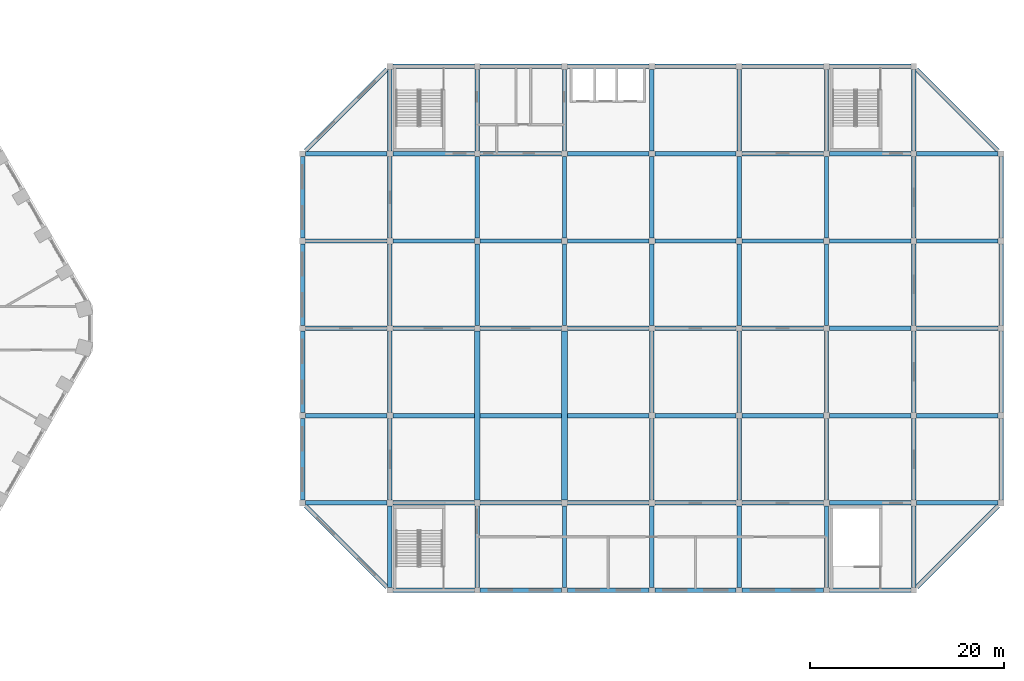
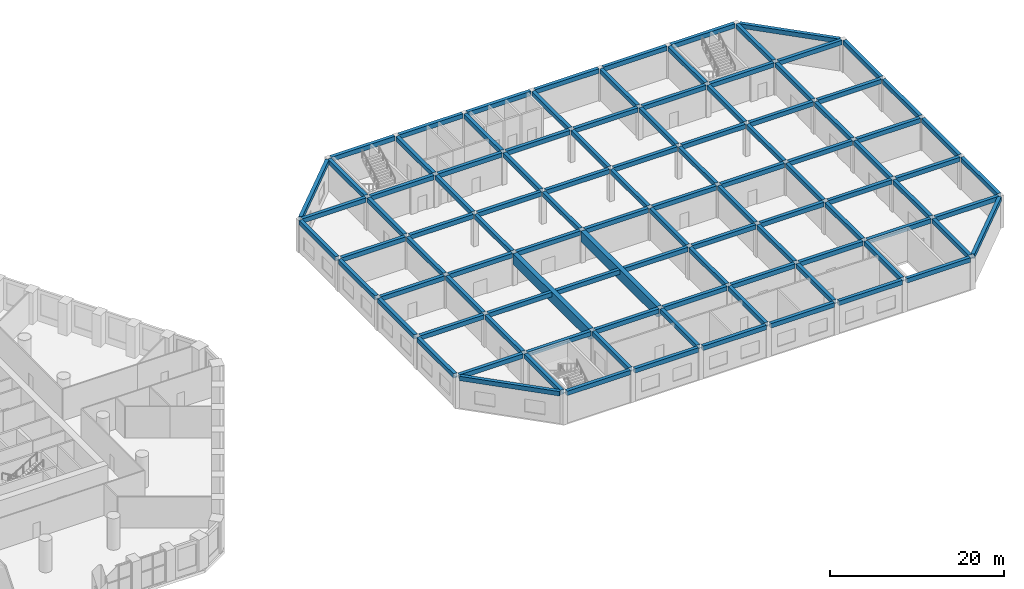
# One storey, part 4 of 26: 104 beams.
"""IFC4 building model written with IfcOpenShell, lengths in metres."""

import ifcopenshell
import ifcopenshell.guid

model = None  # the IFC model being written
_history = None  # IfcOwnerHistory: only IFC2X3 demands one
_inside = {}  # id of a spatial element -> (the spatial element, [elements in it])
_under = {}  # id of a project, library or spatial element -> (it, [spatial elements below it])
_declared = {}  # id of a project -> (the project, [libraries it declares])
_typed = {}  # id of a type object -> (the type object, [elements of that type])
_made_of = {}  # id of a material, layer set ... -> (it, [elements and type objects made of it])


def new_model(schema):
    """Start an empty IFC model of exactly this schema.

    Asked for "IFC4X3", IfcOpenShell would pick the latest addendum, in which some entities
    have other attributes; the version numbers below select the first issue.
    IFC2X3 requires an IfcOwnerHistory on every rooted entity: one is made here for all.
    """
    global model, _history
    if schema == "IFC4X3":
        model = ifcopenshell.file(schema_version=(4, 3, 0, 0))
    else:
        model = ifcopenshell.file(schema=schema)
    _inside.clear()
    _under.clear()
    _declared.clear()
    _typed.clear()
    _made_of.clear()
    _history = None
    if model.schema == "IFC2X3":
        org = make("IfcOrganization", Name="unknown")
        user = make(
            "IfcPersonAndOrganization",
            ThePerson=make("IfcPerson", FamilyName="unknown"),
            TheOrganization=org,
        )
        app = make(
            "IfcApplication",
            ApplicationDeveloper=org,
            Version="unknown",
            ApplicationFullName="unknown",
            ApplicationIdentifier="unknown",
        )
        _history = make(
            "IfcOwnerHistory",
            OwningUser=user,
            OwningApplication=app,
            ChangeAction="ADDED",
            CreationDate=0,
        )
    return model


def make(cls, **values):
    """One entity of the class cls with the attributes given. An attribute that is None is left unset."""
    return model.create_entity(
        cls, **{name: value for name, value in values.items() if value is not None}
    )


def rooted(cls, **values):
    """An entity with a GlobalId (a new one), such as an element, a storey or a relation."""
    return make(cls, GlobalId=ifcopenshell.guid.new(), OwnerHistory=_history, **values)


def si_unit(unit_type, name, prefix=None):
    """IfcSIUnit, for example si_unit("LENGTHUNIT", "METRE", prefix="MILLI")."""
    return make("IfcSIUnit", UnitType=unit_type, Prefix=prefix, Name=name)


def assignment(units):
    """IfcUnitAssignment: the units of a project."""
    return None if units is None else make("IfcUnitAssignment", Units=units)


def point(xyz):
    """IfcCartesianPoint."""
    return None if xyz is None else make("IfcCartesianPoint", Coordinates=xyz)


def direction(xyz):
    """IfcDirection."""
    return None if xyz is None else make("IfcDirection", DirectionRatios=xyz)


def frame(location, z_axis=None, x_axis=None):
    """IfcAxis2Placement3D, a coordinate frame: its origin and axes. An axis left out is left unset."""
    return make(
        "IfcAxis2Placement3D",
        Location=point(location),
        Axis=direction(z_axis),
        RefDirection=direction(x_axis),
    )


def frame_2d(location, x_axis=None):
    """IfcAxis2Placement2D, a coordinate frame in the plane: its origin and x axis."""
    return make(
        "IfcAxis2Placement2D", Location=point(location), RefDirection=direction(x_axis)
    )


def origin():
    """The frame at (0, 0, 0) with its axes left unset."""
    return frame((0.0, 0.0, 0.0))


def origin_2d():
    """The frame at (0, 0) in the plane with its x axis left unset."""
    return frame_2d((0.0, 0.0))


def place(relative_to, where):
    """IfcLocalPlacement: puts the frame where relative to a parent placement (None: the world)."""
    return make(
        "IfcLocalPlacement", PlacementRelTo=relative_to, RelativePlacement=where
    )


def context(
    kind, dimensions, precision=None, world=None, true_north=None, identifier=None
):
    """IfcGeometricRepresentationContext, for example the 3D "Model" context."""
    return make(
        "IfcGeometricRepresentationContext",
        ContextIdentifier=identifier,
        ContextType=kind,
        CoordinateSpaceDimension=dimensions,
        Precision=precision,
        WorldCoordinateSystem=world,
        TrueNorth=true_north,
    )


def subcontext(parent, identifier, kind, view, scale=None):
    """IfcGeometricRepresentationSubContext, for example "Body" below "Model"."""
    return make(
        "IfcGeometricRepresentationSubContext",
        ContextIdentifier=identifier,
        ContextType=kind,
        ParentContext=parent,
        TargetScale=scale,
        TargetView=view,
    )


def project(units=None, contexts=None):
    """IfcProject with its units and contexts."""
    return rooted(
        "IfcProject",
        Name="project",
        RepresentationContexts=contexts,
        UnitsInContext=assignment(units),
    )


def spatial(cls, under=None, at=None, **own):
    """A site, building, storey or space (cls), placed at a placement, below another one or the project."""
    s = rooted(cls, ObjectPlacement=at, **own)
    if under is not None:
        _under.setdefault(under.id(), (under, []))[1].append(s)
    return s


def profile(cls, at=None, kind="AREA", **sizes):
    """A parametric profile (cls). Its sizes go by their IFC names, for example OverallWidth=200.0."""
    return make(cls, ProfileType=kind, Position=at, **sizes)


def rectangle(**sizes):
    """IfcRectangleProfileDef."""
    return profile("IfcRectangleProfileDef", **sizes)


def extrude(swept, where, along, depth):
    """IfcExtrudedAreaSolid: the profile swept, set in the frame where, extruded along a direction by depth."""
    return make(
        "IfcExtrudedAreaSolid",
        SweptArea=swept,
        Position=where,
        ExtrudedDirection=direction(along),
        Depth=depth,
    )


def shape(context_of_items, identifier, shape_type, items):
    """IfcShapeRepresentation: the items that make up one representation, for example the "Body"."""
    return make(
        "IfcShapeRepresentation",
        ContextOfItems=context_of_items,
        RepresentationIdentifier=identifier,
        RepresentationType=shape_type,
        Items=items,
    )


def material(Name=None, Category=None):
    """IfcMaterial."""
    return make("IfcMaterial", Name=Name, Category=Category)


def material_profile(
    of_material, cross_section, Name=None, Category=None, Priority=None
):
    """IfcMaterialProfile: a cross section and its material."""
    return make(
        "IfcMaterialProfile",
        Name=Name,
        Material=of_material,
        Profile=cross_section,
        Priority=Priority,
        Category=Category,
    )


def profile_set(profiles, Name=None, composite=None):
    """IfcMaterialProfileSet."""
    return make(
        "IfcMaterialProfileSet",
        Name=Name,
        MaterialProfiles=profiles,
        CompositeProfile=composite,
    )


def made_of(thing, what):
    """Note that an element or type object is made of a material, layer set ...; save() writes the relation."""
    if what is not None:
        _made_of.setdefault(what.id(), (what, []))[1].append(thing)
    return thing


def type_object(cls, material=None, **own):
    """A type object (cls), such as IfcWallType, which elements share."""
    return made_of(rooted(cls, **own), material)


def element(
    cls,
    number,
    at=None,
    inside=None,
    cuts=None,
    type_object=None,
    material=None,
    context=None,
    identifier="Body",
    shape_type=None,
    held_by="IfcProductDefinitionShape",
    body=None,
    shapes=None,
    **own,
):
    """One element of the class cls, such as IfcWall. Its Tag is "e" and its number.

    at: its placement. inside: the storey or other place that contains it. cuts: it is an
    opening in that element (IfcRelVoidsElement). A single representation is given by context,
    identifier, shape_type and body (its items); several are given by shapes. held_by: the class
    of the entity that holds the representations. save() writes the other relations.
    """
    e = rooted(cls, Tag="e%d" % number, ObjectPlacement=at, **own)
    if body is not None:
        shapes = [shape(context, identifier, shape_type, body)]
    if shapes is not None:
        e.Representation = make(held_by, Representations=shapes)
    if inside is not None:
        _inside.setdefault(inside.id(), (inside, []))[1].append(e)
    if cuts is not None:
        rooted(
            "IfcRelVoidsElement", RelatingBuildingElement=cuts, RelatedOpeningElement=e
        )
    if type_object is not None:
        _typed.setdefault(type_object.id(), (type_object, []))[1].append(e)
    return made_of(e, material)


def aggregate(whole, parts):
    """IfcRelAggregates: a whole, such as a stair, and the parts it consists of."""
    return rooted("IfcRelAggregates", RelatingObject=whole, RelatedObjects=parts)


def save(model, path):
    """Write the relations noted so far, then the file.

    IfcRelAggregates (storeys below a building ...), IfcRelContainedInSpatialStructure (elements
    in a storey), IfcRelDefinesByType, IfcRelAssociatesMaterial and IfcRelDeclares: one each for
    every whole, place, type object, material and project.
    """
    for whole, parts in _under.values():
        aggregate(whole, parts)
    for where, things in _inside.values():
        rooted(
            "IfcRelContainedInSpatialStructure",
            RelatedElements=things,
            RelatingStructure=where,
        )
    for kind, things in _typed.values():
        rooted("IfcRelDefinesByType", RelatedObjects=things, RelatingType=kind)
    for what, things in _made_of.values():
        rooted("IfcRelAssociatesMaterial", RelatedObjects=things, RelatingMaterial=what)
    for by, libraries in _declared.values():
        rooted("IfcRelDeclares", RelatingContext=by, RelatedDefinitions=libraries)
    model.write(path)


model = new_model("IFC4")

# Units and contexts
model_context = context("Model", 3, precision=1e-05, world=origin(), true_north=direction((0.0, 1.0)))
body_context = subcontext(model_context, "Body", "Model", "MODEL_VIEW")
ifc_project = project(units=[si_unit("LENGTHUNIT", "METRE"), si_unit("AREAUNIT", "SQUARE_METRE"), si_unit("VOLUMEUNIT", "CUBIC_METRE"), si_unit("PLANEANGLEUNIT", "RADIAN"), si_unit("MASSUNIT", "GRAM", prefix="KILO")], contexts=[model_context])

# Site, building, storey
site_placement = place(None, origin())
site = spatial("IfcSite", under=ifc_project, at=site_placement, CompositionType="ELEMENT")
building_placement = place(site_placement, origin())
building = spatial("IfcBuilding", under=site, at=building_placement, Name="Dhurran Vertical Campus", CompositionType="ELEMENT")
storey_placement = place(building_placement, frame((0.0, 0.0, 15.60009765625)))
storey = spatial("IfcBuildingStorey", under=building, at=storey_placement, Name="L03", CompositionType="ELEMENT", Elevation=15.60009765625)

# Beams
ifc_material_1 = material(Name="Concrete C40/50", Category="concrete")
ifc_material_profile_1 = material_profile(ifc_material_1, rectangle(XDim=0.449951171875, YDim=0.6201171875, at=origin_2d()), Name="hl-girder 450x620")
ifc_profile_set_1 = profile_set([ifc_material_profile_1], Name="Concrete C40/50")
beam_type_1 = type_object("IfcBeamType", Name="hl-girder 450x620", PredefinedType="BEAM", material=ifc_profile_set_1)
beam_1_placement = place(storey_placement, frame((61.5, -17.699951171875, 4.2099609375), z_axis=(0.0, 1.0, 0.0), x_axis=(-1.0, 0.0, 0.0)))
element("IfcBeam", 1, at=beam_1_placement, inside=storey, type_object=beam_type_1, Name="Hall girder L03-001", PredefinedType="BEAM", context=body_context, shape_type="SweptSolid", body=[
    extrude(rectangle(XDim=0.449951171875, YDim=0.6201171875, at=origin_2d()), origin(), (0.0, 0.0, 1.0), 8.39990234375),
])
beam_2_placement = place(storey_placement, frame((61.800048828125, -18.300048828125, 4.2099609375), z_axis=(0.707106781187, -0.707106781187, 0.0), x_axis=(0.707106781187, 0.707106781187, 0.0)))
element("IfcBeam", 2, at=beam_2_placement, inside=storey, type_object=beam_type_1, Name="Hall girder L03-002", PredefinedType="BEAM", context=body_context, shape_type="SweptSolid", body=[
    extrude(rectangle(XDim=0.449951171875, YDim=0.6201171875, at=origin_2d()), origin(), (0.0, 0.0, 1.0), 11.879150390625),
])
for number, where, z_axis, x_axis, name in (
    (3, (61.800048828125, -18.0, 4.2099609375), (1.0, 0.0, 0.0), (0.0, 1.0, 0.0), "Hall girder L03-003"),
    (4, (61.5, -8.699951171875, 4.2099609375), (0.0, 1.0, 0.0), (-1.0, 0.0, 0.0), "Hall girder L03-004"),
    (5, (61.800048828125, -9.0, 4.2099609375), (1.0, 0.0, 0.0), (0.0, 1.0, 0.0), "Hall girder L03-005"),
    (6, (61.5, 0.300048828125, 4.2099609375), (0.0, 1.0, 0.0), (-1.0, 0.0, 0.0), "Hall girder L03-006"),
    (7, (61.800048828125, 0.0, 4.2099609375), (1.0, 0.0, 0.0), (0.0, 1.0, 0.0), "Hall girder L03-007"),
    (8, (61.5, 9.300048828125, 4.2099609375), (0.0, 1.0, 0.0), (-1.0, 0.0, 0.0), "Hall girder L03-008"),
    (9, (61.800048828125, 9.0, 4.2099609375), (1.0, 0.0, 0.0), (0.0, 1.0, 0.0), "Hall girder L03-009"),
    (10, (61.800048828125, 18.0, 4.2099609375), (1.0, 0.0, 0.0), (0.0, 1.0, 0.0), "Hall girder L03-010"),
    (11, (70.5, -26.699951171875, 4.2099609375), (0.0, 1.0, 0.0), (-1.0, 0.0, 0.0), "Hall girder L03-011"),
    (12, (70.800048828125, -27.0, 4.2099609375), (1.0, 0.0, 0.0), (0.0, 1.0, 0.0), "Hall girder L03-012"),
    (13, (70.5, -17.699951171875, 4.2099609375), (0.0, 1.0, 0.0), (-1.0, 0.0, 0.0), "Hall girder L03-013"),
    (14, (70.800048828125, -18.0, 4.2099609375), (1.0, 0.0, 0.0), (0.0, 1.0, 0.0), "Hall girder L03-014"),
    (15, (70.5, -8.699951171875, 4.2099609375), (0.0, 1.0, 0.0), (-1.0, 0.0, 0.0), "Hall girder L03-015"),
    (16, (70.800048828125, -9.0, 4.2099609375), (1.0, 0.0, 0.0), (0.0, 1.0, 0.0), "Hall girder L03-016"),
    (17, (70.5, 0.300048828125, 4.2099609375), (0.0, 1.0, 0.0), (-1.0, 0.0, 0.0), "Hall girder L03-017"),
    (18, (70.800048828125, 0.0, 4.2099609375), (1.0, 0.0, 0.0), (0.0, 1.0, 0.0), "Hall girder L03-018"),
    (19, (70.5, 9.300048828125, 4.2099609375), (0.0, 1.0, 0.0), (-1.0, 0.0, 0.0), "Hall girder L03-019"),
    (20, (70.800048828125, 9.0, 4.2099609375), (1.0, 0.0, 0.0), (0.0, 1.0, 0.0), "Hall girder L03-020"),
    (21, (70.5, 18.300048828125, 4.2099609375), (0.0, 1.0, 0.0), (-1.0, 0.0, 0.0), "Hall girder L03-021"),
    (22, (70.800048828125, 18.0, 4.2099609375), (1.0, 0.0, 0.0), (0.0, 1.0, 0.0), "Hall girder L03-022"),
):
    element("IfcBeam", number, at=place(storey_placement, frame(where, z_axis=z_axis, x_axis=x_axis)), inside=storey, type_object=beam_type_1, Name=name, PredefinedType="BEAM", context=body_context, shape_type="SweptSolid", body=[
        extrude(rectangle(XDim=0.449951171875, YDim=0.6201171875, at=origin_2d()), origin(), (0.0, 0.0, 1.0), 8.39990234375),
    ])
beam_3_placement = place(storey_placement, frame((70.199951171875, 26.699951171875, 4.2099609375), z_axis=(-0.707106781187, -0.707106781187, 0.0), x_axis=(0.707106781187, -0.707106781187, 0.0)))
element("IfcBeam", 23, at=beam_3_placement, inside=storey, type_object=beam_type_1, Name="Hall girder L03-023", PredefinedType="BEAM", context=body_context, shape_type="SweptSolid", body=[
    extrude(rectangle(XDim=0.449951171875, YDim=0.6201171875, at=origin_2d()), origin(), (0.0, 0.0, 1.0), 11.879150390625),
])
for number, where, z_axis, x_axis, name in (
    (24, (70.800048828125, 27.0, 4.2099609375), (1.0, 0.0, 0.0), (0.0, 1.0, 0.0), "Hall girder L03-024"),
    (25, (79.5, -26.699951171875, 4.2099609375), (0.0, 1.0, 0.0), (-1.0, 0.0, 0.0), "Hall girder L03-025"),
    (26, (79.800048828125, -27.0, 4.2099609375), (1.0, 0.0, 0.0), (0.0, 1.0, 0.0), "Hall girder L03-026"),
    (27, (79.800048828125, -18.0, 4.2099609375), (1.0, 0.0, 0.0), (0.0, 1.0, 0.0), "Hall girder L03-027"),
    (28, (79.800048828125, -9.0, 4.2099609375), (1.0, 0.0, 0.0), (0.0, 1.0, 0.0), "Hall girder L03-028"),
    (29, (79.5, 0.300048828125, 4.2099609375), (0.0, 1.0, 0.0), (-1.0, 0.0, 0.0), "Hall girder L03-029"),
    (30, (79.800048828125, 0.0, 4.2099609375), (1.0, 0.0, 0.0), (0.0, 1.0, 0.0), "Hall girder L03-030"),
    (31, (79.5, 9.300048828125, 4.2099609375), (0.0, 1.0, 0.0), (-1.0, 0.0, 0.0), "Hall girder L03-031"),
    (32, (79.800048828125, 9.0, 4.2099609375), (1.0, 0.0, 0.0), (0.0, 1.0, 0.0), "Hall girder L03-032"),
    (33, (79.5, 18.300048828125, 4.2099609375), (0.0, 1.0, 0.0), (-1.0, 0.0, 0.0), "Hall girder L03-033"),
    (34, (79.800048828125, 18.0, 4.2099609375), (1.0, 0.0, 0.0), (0.0, 1.0, 0.0), "Hall girder L03-034"),
    (35, (79.800048828125, 27.0, 4.2099609375), (1.0, 0.0, 0.0), (0.0, 1.0, 0.0), "Hall girder L03-035"),
    (36, (88.5, -26.699951171875, 4.2099609375), (0.0, 1.0, 0.0), (-1.0, 0.0, 0.0), "Hall girder L03-036"),
    (37, (88.800048828125, -27.0, 4.2099609375), (1.0, 0.0, 0.0), (0.0, 1.0, 0.0), "Hall girder L03-037"),
    (38, (88.800048828125, -18.0, 4.2099609375), (1.0, 0.0, 0.0), (0.0, 1.0, 0.0), "Hall girder L03-038"),
    (39, (88.800048828125, -9.0, 4.2099609375), (1.0, 0.0, 0.0), (0.0, 1.0, 0.0), "Hall girder L03-039"),
    (40, (88.5, 0.300048828125, 4.2099609375), (0.0, 1.0, 0.0), (-1.0, 0.0, 0.0), "Hall girder L03-040"),
    (41, (88.800048828125, 0.0, 4.2099609375), (1.0, 0.0, 0.0), (0.0, 1.0, 0.0), "Hall girder L03-041"),
    (42, (88.5, 9.300048828125, 4.2099609375), (0.0, 1.0, 0.0), (-1.0, 0.0, 0.0), "Hall girder L03-042"),
    (43, (88.800048828125, 9.0, 4.2099609375), (1.0, 0.0, 0.0), (0.0, 1.0, 0.0), "Hall girder L03-043"),
    (44, (88.5, 18.300048828125, 4.2099609375), (0.0, 1.0, 0.0), (-1.0, 0.0, 0.0), "Hall girder L03-044"),
    (45, (88.800048828125, 18.0, 4.2099609375), (1.0, 0.0, 0.0), (0.0, 1.0, 0.0), "Hall girder L03-045"),
    (46, (88.800048828125, 27.0, 4.2099609375), (1.0, 0.0, 0.0), (0.0, 1.0, 0.0), "Hall girder L03-046"),
    (47, (97.5, -26.699951171875, 4.2099609375), (0.0, 1.0, 0.0), (-1.0, 0.0, 0.0), "Hall girder L03-047"),
    (48, (97.800048828125, -27.0, 4.2099609375), (1.0, 0.0, 0.0), (0.0, 1.0, 0.0), "Hall girder L03-048"),
    (49, (97.5, -17.699951171875, 4.2099609375), (0.0, 1.0, 0.0), (-1.0, 0.0, 0.0), "Hall girder L03-049"),
    (50, (97.800048828125, -18.0, 4.2099609375), (1.0, 0.0, 0.0), (0.0, 1.0, 0.0), "Hall girder L03-050"),
    (51, (97.5, -8.699951171875, 4.2099609375), (0.0, 1.0, 0.0), (-1.0, 0.0, 0.0), "Hall girder L03-051"),
    (52, (97.800048828125, -9.0, 4.2099609375), (1.0, 0.0, 0.0), (0.0, 1.0, 0.0), "Hall girder L03-052"),
    (53, (97.5, 0.300048828125, 4.2099609375), (0.0, 1.0, 0.0), (-1.0, 0.0, 0.0), "Hall girder L03-053"),
    (54, (97.800048828125, 0.0, 4.2099609375), (1.0, 0.0, 0.0), (0.0, 1.0, 0.0), "Hall girder L03-054"),
    (55, (97.5, 9.300048828125, 4.2099609375), (0.0, 1.0, 0.0), (-1.0, 0.0, 0.0), "Hall girder L03-055"),
    (56, (97.800048828125, 9.0, 4.2099609375), (1.0, 0.0, 0.0), (0.0, 1.0, 0.0), "Hall girder L03-056"),
    (57, (97.5, 18.300048828125, 4.2099609375), (0.0, 1.0, 0.0), (-1.0, 0.0, 0.0), "Hall girder L03-057"),
    (58, (97.800048828125, 18.0, 4.2099609375), (1.0, 0.0, 0.0), (0.0, 1.0, 0.0), "Hall girder L03-058"),
    (59, (97.800048828125, 27.0, 4.2099609375), (1.0, 0.0, 0.0), (0.0, 1.0, 0.0), "Hall girder L03-059"),
    (60, (106.5, -26.699951171875, 4.2099609375), (0.0, 1.0, 0.0), (-1.0, 0.0, 0.0), "Hall girder L03-060"),
    (61, (106.800048828125, -27.0, 4.2099609375), (1.0, 0.0, 0.0), (0.0, 1.0, 0.0), "Hall girder L03-061"),
    (62, (106.5, -17.699951171875, 4.2099609375), (0.0, 1.0, 0.0), (-1.0, 0.0, 0.0), "Hall girder L03-062"),
    (63, (106.800048828125, -18.0, 4.2099609375), (1.0, 0.0, 0.0), (0.0, 1.0, 0.0), "Hall girder L03-063"),
    (64, (106.5, -8.699951171875, 4.2099609375), (0.0, 1.0, 0.0), (-1.0, 0.0, 0.0), "Hall girder L03-064"),
    (65, (106.800048828125, -9.0, 4.2099609375), (1.0, 0.0, 0.0), (0.0, 1.0, 0.0), "Hall girder L03-065"),
    (66, (106.5, 0.300048828125, 4.2099609375), (0.0, 1.0, 0.0), (-1.0, 0.0, 0.0), "Hall girder L03-066"),
    (67, (106.800048828125, 0.0, 4.2099609375), (1.0, 0.0, 0.0), (0.0, 1.0, 0.0), "Hall girder L03-067"),
    (68, (106.5, 9.300048828125, 4.2099609375), (0.0, 1.0, 0.0), (-1.0, 0.0, 0.0), "Hall girder L03-068"),
    (69, (106.800048828125, 9.0, 4.2099609375), (1.0, 0.0, 0.0), (0.0, 1.0, 0.0), "Hall girder L03-069"),
    (70, (106.5, 18.300048828125, 4.2099609375), (0.0, 1.0, 0.0), (-1.0, 0.0, 0.0), "Hall girder L03-070"),
    (71, (106.800048828125, 18.0, 4.2099609375), (1.0, 0.0, 0.0), (0.0, 1.0, 0.0), "Hall girder L03-071"),
    (72, (106.800048828125, 27.0, 4.2099609375), (1.0, 0.0, 0.0), (0.0, 1.0, 0.0), "Hall girder L03-072"),
    (73, (115.5, -26.699951171875, 4.2099609375), (0.0, 1.0, 0.0), (-1.0, 0.0, 0.0), "Hall girder L03-073"),
    (74, (115.800048828125, -27.0, 4.2099609375), (1.0, 0.0, 0.0), (0.0, 1.0, 0.0), "Hall girder L03-074"),
    (75, (115.5, -17.699951171875, 4.2099609375), (0.0, 1.0, 0.0), (-1.0, 0.0, 0.0), "Hall girder L03-075"),
    (76, (115.800048828125, -18.0, 4.2099609375), (1.0, 0.0, 0.0), (0.0, 1.0, 0.0), "Hall girder L03-076"),
    (77, (115.5, -8.699951171875, 4.2099609375), (0.0, 1.0, 0.0), (-1.0, 0.0, 0.0), "Hall girder L03-077"),
    (78, (115.800048828125, -9.0, 4.2099609375), (1.0, 0.0, 0.0), (0.0, 1.0, 0.0), "Hall girder L03-078"),
    (79, (115.5, 0.300048828125, 4.2099609375), (0.0, 1.0, 0.0), (-1.0, 0.0, 0.0), "Hall girder L03-079"),
    (80, (115.800048828125, 0.0, 4.2099609375), (1.0, 0.0, 0.0), (0.0, 1.0, 0.0), "Hall girder L03-080"),
    (81, (115.5, 9.300048828125, 4.2099609375), (0.0, 1.0, 0.0), (-1.0, 0.0, 0.0), "Hall girder L03-081"),
    (82, (115.800048828125, 9.0, 4.2099609375), (1.0, 0.0, 0.0), (0.0, 1.0, 0.0), "Hall girder L03-082"),
    (83, (115.5, 18.300048828125, 4.2099609375), (0.0, 1.0, 0.0), (-1.0, 0.0, 0.0), "Hall girder L03-083"),
    (84, (115.800048828125, 18.0, 4.2099609375), (1.0, 0.0, 0.0), (0.0, 1.0, 0.0), "Hall girder L03-084"),
    (85, (115.800048828125, 27.0, 4.2099609375), (1.0, 0.0, 0.0), (0.0, 1.0, 0.0), "Hall girder L03-085"),
    (86, (124.5, -26.699951171875, 4.2099609375), (0.0, 1.0, 0.0), (-1.0, 0.0, 0.0), "Hall girder L03-086"),
):
    element("IfcBeam", number, at=place(storey_placement, frame(where, z_axis=z_axis, x_axis=x_axis)), inside=storey, type_object=beam_type_1, Name=name, PredefinedType="BEAM", context=body_context, shape_type="SweptSolid", body=[
        extrude(rectangle(XDim=0.449951171875, YDim=0.6201171875, at=origin_2d()), origin(), (0.0, 0.0, 1.0), 8.39990234375),
    ])
beam_4_placement = place(storey_placement, frame((124.800048828125, -26.699951171875, 4.2099609375), z_axis=(0.707106781187, 0.707106781187, 0.0), x_axis=(-0.707106781187, 0.707106781187, 0.0)))
element("IfcBeam", 87, at=beam_4_placement, inside=storey, type_object=beam_type_1, Name="Hall girder L03-087", PredefinedType="BEAM", context=body_context, shape_type="SweptSolid", body=[
    extrude(rectangle(XDim=0.449951171875, YDim=0.6201171875, at=origin_2d()), origin(), (0.0, 0.0, 1.0), 11.879150390625),
])
for number, where, z_axis, x_axis, name in (
    (88, (124.5, -17.699951171875, 4.2099609375), (0.0, 1.0, 0.0), (-1.0, 0.0, 0.0), "Hall girder L03-088"),
    (89, (124.800048828125, -18.0, 4.2099609375), (1.0, 0.0, 0.0), (0.0, 1.0, 0.0), "Hall girder L03-089"),
    (90, (124.5, -8.699951171875, 4.2099609375), (0.0, 1.0, 0.0), (-1.0, 0.0, 0.0), "Hall girder L03-090"),
    (91, (124.800048828125, -9.0, 4.2099609375), (1.0, 0.0, 0.0), (0.0, 1.0, 0.0), "Hall girder L03-091"),
    (92, (124.5, 0.300048828125, 4.2099609375), (0.0, 1.0, 0.0), (-1.0, 0.0, 0.0), "Hall girder L03-092"),
    (93, (124.800048828125, 0.0, 4.2099609375), (1.0, 0.0, 0.0), (0.0, 1.0, 0.0), "Hall girder L03-093"),
    (94, (124.5, 9.300048828125, 4.2099609375), (0.0, 1.0, 0.0), (-1.0, 0.0, 0.0), "Hall girder L03-094"),
    (95, (124.800048828125, 9.0, 4.2099609375), (1.0, 0.0, 0.0), (0.0, 1.0, 0.0), "Hall girder L03-095"),
    (96, (124.5, 18.300048828125, 4.2099609375), (0.0, 1.0, 0.0), (-1.0, 0.0, 0.0), "Hall girder L03-096"),
    (97, (124.800048828125, 18.0, 4.2099609375), (1.0, 0.0, 0.0), (0.0, 1.0, 0.0), "Hall girder L03-097"),
    (98, (133.5, -17.699951171875, 4.2099609375), (0.0, 1.0, 0.0), (-1.0, 0.0, 0.0), "Hall girder L03-098"),
    (99, (133.5, -8.699951171875, 4.2099609375), (0.0, 1.0, 0.0), (-1.0, 0.0, 0.0), "Hall girder L03-099"),
    (100, (133.5, 0.300048828125, 4.2099609375), (0.0, 1.0, 0.0), (-1.0, 0.0, 0.0), "Hall girder L03-100"),
    (101, (133.5, 9.300048828125, 4.2099609375), (0.0, 1.0, 0.0), (-1.0, 0.0, 0.0), "Hall girder L03-101"),
):
    element("IfcBeam", number, at=place(storey_placement, frame(where, z_axis=z_axis, x_axis=x_axis)), inside=storey, type_object=beam_type_1, Name=name, PredefinedType="BEAM", context=body_context, shape_type="SweptSolid", body=[
        extrude(rectangle(XDim=0.449951171875, YDim=0.6201171875, at=origin_2d()), origin(), (0.0, 0.0, 1.0), 8.39990234375),
    ])
beam_5_placement = place(storey_placement, frame((133.199951171875, 18.300048828125, 4.2099609375), z_axis=(-0.707106781187, 0.707106781187, 0.0), x_axis=(-0.707106781187, -0.707106781187, 0.0)))
element("IfcBeam", 102, at=beam_5_placement, inside=storey, type_object=beam_type_1, Name="Hall girder L03-102", PredefinedType="BEAM", context=body_context, shape_type="SweptSolid", body=[
    extrude(rectangle(XDim=0.449951171875, YDim=0.6201171875, at=origin_2d()), origin(), (0.0, 0.0, 1.0), 11.879150390625),
])
ifc_material_2 = material(Name="Concrete C40/50", Category="concrete")
ifc_material_profile_2 = material_profile(ifc_material_2, rectangle(XDim=0.60009765625, YDim=1.5, at=origin_2d()), Name="hl-roof girder 600x1500")
ifc_profile_set_2 = profile_set([ifc_material_profile_2], Name="Concrete C40/50")
beam_type_2 = type_object("IfcBeamType", Name="hl-roof girder 600x1500", PredefinedType="BEAM", material=ifc_profile_set_2)
for number, where, z_axis, x_axis, name in (
    (103, (79.5, -17.699951171875, 3.77001953125), (0.0, 1.0, 0.0), (-1.0, 0.0, 0.0), "Hall roof girder L03-D1"),
    (104, (88.5, -17.699951171875, 3.77001953125), (0.0, 1.0, 0.0), (-1.0, 0.0, 0.0), "Hall roof girder L03-D2"),
):
    element("IfcBeam", number, at=place(storey_placement, frame(where, z_axis=z_axis, x_axis=x_axis)), inside=storey, type_object=beam_type_2, Name=name, PredefinedType="BEAM", context=body_context, shape_type="SweptSolid", body=[
        extrude(rectangle(XDim=0.60009765625, YDim=1.5, at=origin_2d()), origin(), (0.0, 0.0, 1.0), 17.39990234375),
    ])

save(model, "model.ifc")
